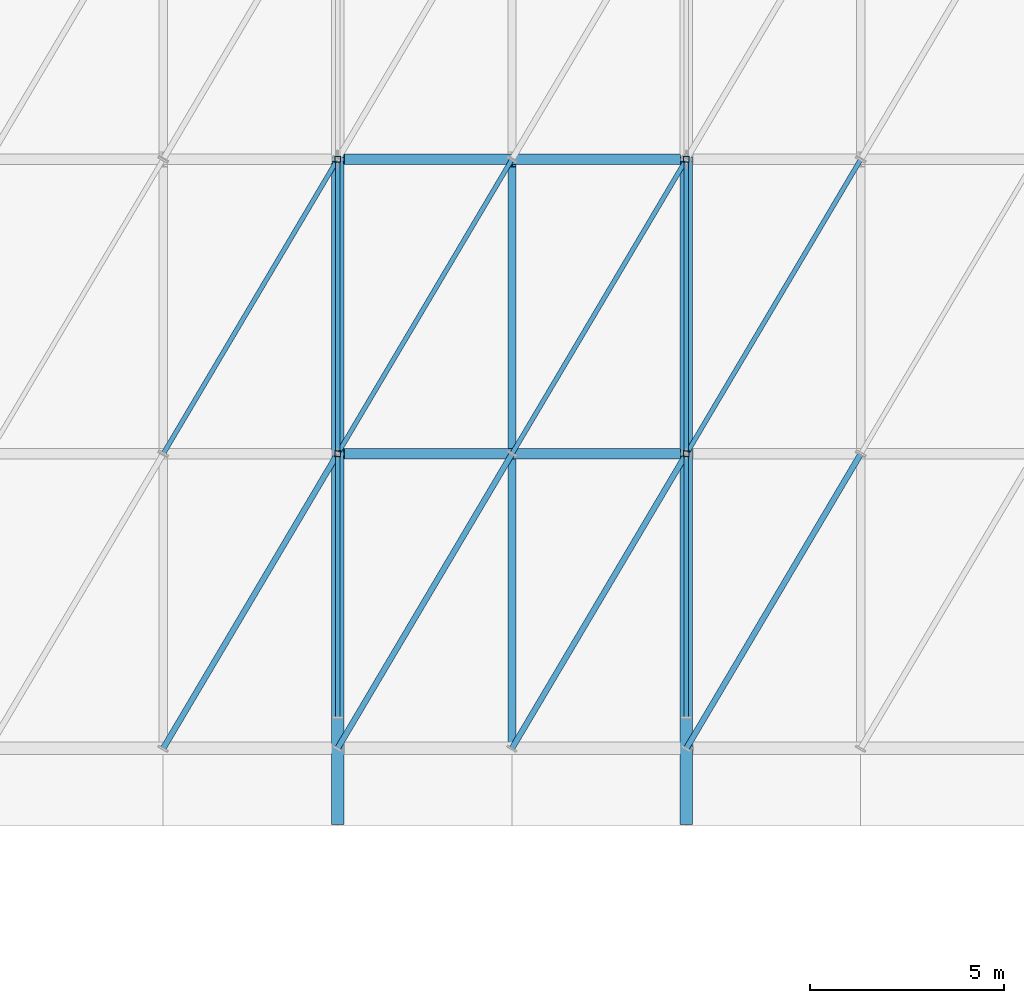
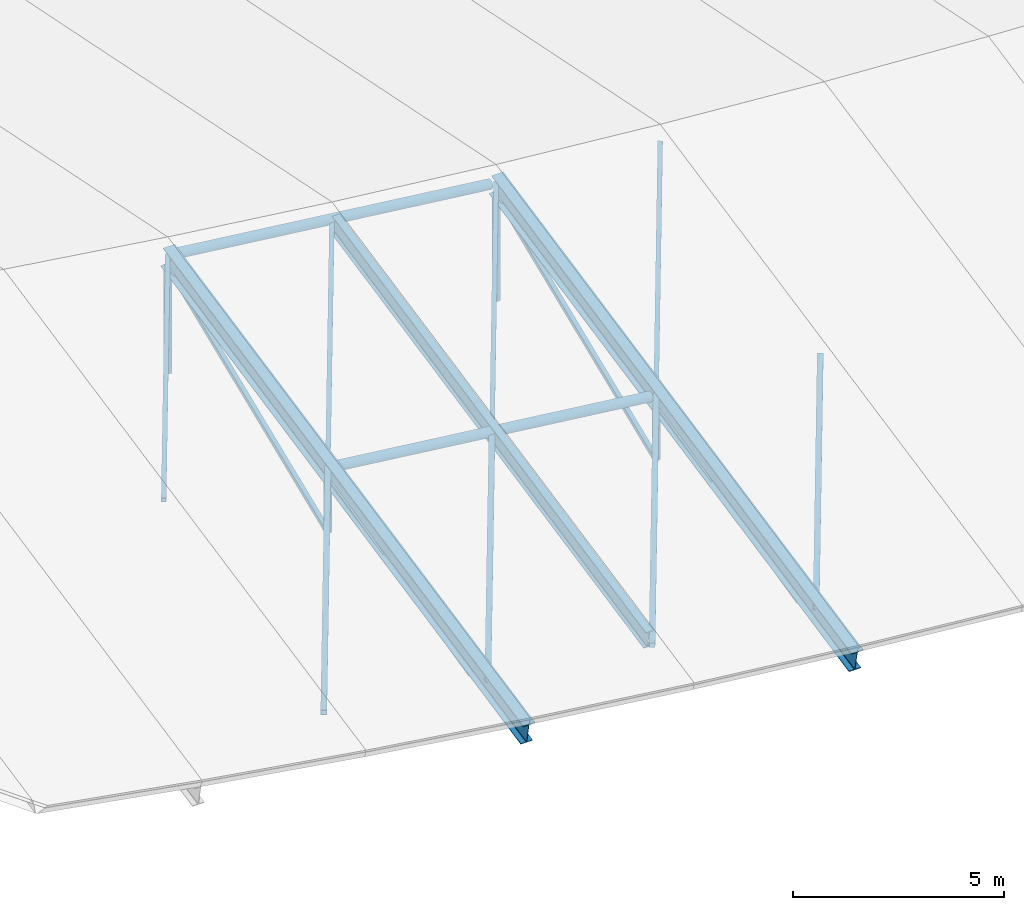
# One storey, part 8 of 21: 16 members, 5 beams.
"""IFC4 building model written with IfcOpenShell, lengths in metres."""

from ifc_helpers import new_model, si_unit, direction, frame, origin, origin_2d, place, context, subcontext, project, spatial, hollow_rectangle, hollow_circle, i_section, extrude, material, material_profile, profile_set, type_object, element, save


model = new_model("IFC4")

# Units and contexts
model_context = context("Model", 3, precision=1e-05, world=origin(), true_north=direction((0.0, 1.0)))
body_context = subcontext(model_context, "Body", "Model", "MODEL_VIEW")
ifc_project = project(units=[si_unit("LENGTHUNIT", "METRE"), si_unit("AREAUNIT", "SQUARE_METRE"), si_unit("VOLUMEUNIT", "CUBIC_METRE"), si_unit("PLANEANGLEUNIT", "RADIAN"), si_unit("MASSUNIT", "GRAM", prefix="KILO")], contexts=[model_context])

# Site, building, storey
site_placement = place(None, origin())
site = spatial("IfcSite", under=ifc_project, at=site_placement, CompositionType="ELEMENT")
building_placement = place(site_placement, origin())
building = spatial("IfcBuilding", under=site, at=building_placement, Name="Caisbarro Railhouse Central Library", CompositionType="ELEMENT")
storey_placement = place(building_placement, frame((0.0, 0.0, 26.639892578125)))
storey = spatial("IfcBuildingStorey", under=building, at=storey_placement, Name="RF", CompositionType="ELEMENT", Elevation=26.639892578125)

# Beams
ifc_material = material(Name="Steel ASTM A572 Grade 50", Category="steel")
ifc_material_profile_1 = material_profile(ifc_material, i_section(OverallWidth=0.324951171875, OverallDepth=0.615966796875, WebThickness=0.013916015625, FlangeThickness=0.021484375, FilletRadius=0.02197265625, at=origin_2d()), Name="W610X174.0")
ifc_profile_set_1 = profile_set([ifc_material_profile_1], Name="Steel ASTM A572 Grade 50")
beam_type_1 = type_object("IfcBeamType", Name="BM-G02", PredefinedType="BEAM", material=ifc_profile_set_1)
for number, where, z_axis, x_axis, name in (
    (1, (36.0, 28.5, -8.29736328125), (0.0, 0.979829500955, 0.199835304833), (-1.0, 0.0, 0.0), "V1 Gridshell South Rafter X=36"),
    (2, (45.0, 28.5, -9.347412109375), (0.0, 0.979829500955, 0.199835304833), (-1.0, 0.0, 0.0), "V1 Gridshell South Rafter X=45"),
):
    element("IfcBeam", number, at=place(storey_placement, frame(where, z_axis=z_axis, x_axis=x_axis)), inside=storey, type_object=beam_type_1, Name=name, PredefinedType="BEAM", context=body_context, shape_type="SweptSolid", body=[
        extrude(i_section(OverallWidth=0.324951171875, OverallDepth=0.615966796875, WebThickness=0.013916015625, FlangeThickness=0.021484375, FilletRadius=0.02197265625, at=origin_2d()), origin(), (0.0, 0.0, 1.0), 17.4521484375),
    ])
ifc_material_profile_2 = material_profile(ifc_material, i_section(OverallWidth=0.208984375, OverallDepth=0.532958984375, WebThickness=0.01025390625, FlangeThickness=0.015625, FilletRadius=0.02001953125, at=origin_2d()), Name="W530X92.0")
ifc_profile_set_2 = profile_set([ifc_material_profile_2], Name="Steel ASTM A572 Grade 50")
beam_type_2 = type_object("IfcBeamType", Name="BM-G06", PredefinedType="BEAM", material=ifc_profile_set_2)
beam_placement = place(storey_placement, frame((40.5, 30.56494140625, -8.401123046875), z_axis=(0.0, 0.979832431979, 0.19982093294), x_axis=(-1.0, 0.0, 0.0)))
element("IfcBeam", 3, at=beam_placement, inside=storey, type_object=beam_type_2, Name="V1 Gridshell Secondary Rafter South 5", PredefinedType="BEAM", context=body_context, shape_type="SweptSolid", body=[
    extrude(i_section(OverallWidth=0.208984375, OverallDepth=0.532958984375, WebThickness=0.01025390625, FlangeThickness=0.015625, FilletRadius=0.02001953125, at=origin_2d()), origin(), (0.0, 0.0, 1.0), 15.20166015625),
])
ifc_material_profile_3 = material_profile(ifc_material, hollow_circle(Radius=0.136474609375, WallThickness=0.012451171875, at=origin_2d()), Name="CHS273.0X12.5")
ifc_profile_set_3 = profile_set([ifc_material_profile_3], Name="Steel ASTM A572 Grade 50")
beam_type_3 = type_object("IfcBeamType", Name="BM-RB02", PredefinedType="BEAM", material=ifc_profile_set_3)
for number, where, z_axis, x_axis, name in (
    (4, (36.1650390625, 38.0, -6.379150390625), (0.993263353707, 0.0, -0.115878859946), (0.0, 1.0, 0.0), "V1 Gridshell Longitudinal Chord Q105"),
    (5, (36.1650390625, 45.60009765625, -4.8291015625), (0.993263353707, 0.0, -0.115878859946), (0.0, 1.0, 0.0), "V1 Gridshell Longitudinal Chord M05"),
):
    element("IfcBeam", number, at=place(storey_placement, frame(where, z_axis=z_axis, x_axis=x_axis)), inside=storey, type_object=beam_type_3, Name=name, PredefinedType="BEAM", context=body_context, shape_type="SweptSolid", body=[
        extrude(hollow_circle(Radius=0.136474609375, WallThickness=0.012451171875, at=origin_2d()), origin(), (0.0, 0.0, 1.0), 8.728759765625),
    ])

# Members
ifc_material_profile_4 = material_profile(ifc_material, hollow_rectangle(XDim=0.14990234375, YDim=0.14990234375, WallThickness=0.010009765625, at=origin_2d()), Name="HSS150X150X10")
ifc_profile_set_4 = profile_set([ifc_material_profile_4], Name="Steel ASTM A572 Grade 50")
member_type_1 = type_object("IfcMemberType", Name="MEM-GS01", PredefinedType="STRUT", material=ifc_profile_set_4)
member_1_placement = place(storey_placement, frame((36.0, 38.0, -8.2080078125), z_axis=(0.0, 0.0, 1.0), x_axis=(1.0, 0.0, 0.0)))
element("IfcMember", 6, at=member_1_placement, inside=storey, type_object=member_type_1, Name="V1 Gridshell QPS Strut 5", PredefinedType="STRUT", context=body_context, shape_type="SweptSolid", body=[
    extrude(hollow_rectangle(XDim=0.14990234375, YDim=0.14990234375, WallThickness=0.010009765625, at=origin_2d()), origin(), (0.0, 0.0, 1.0), 1.565185546875),
])
member_2_placement = place(storey_placement, frame((36.0, 45.60009765625, -8.2080078125), z_axis=(0.0, 0.0, 1.0), x_axis=(1.0, 0.0, 0.0)))
element("IfcMember", 7, at=member_2_placement, inside=storey, type_object=member_type_1, Name="V1 Gridshell KP Strut 5", PredefinedType="STRUT", context=body_context, shape_type="SweptSolid", body=[
    extrude(hollow_rectangle(XDim=0.14990234375, YDim=0.14990234375, WallThickness=0.010009765625, at=origin_2d()), origin(), (0.0, 0.0, 1.0), 3.115234375),
])
member_3_placement = place(storey_placement, frame((45.0, 38.0, -9.2578125), z_axis=(0.0, 0.0, 1.0), x_axis=(1.0, 0.0, 0.0)))
element("IfcMember", 8, at=member_3_placement, inside=storey, type_object=member_type_1, Name="V1 Gridshell QPS Strut 6", PredefinedType="STRUT", context=body_context, shape_type="SweptSolid", body=[
    extrude(hollow_rectangle(XDim=0.14990234375, YDim=0.14990234375, WallThickness=0.010009765625, at=origin_2d()), origin(), (0.0, 0.0, 1.0), 1.56494140625),
])
member_4_placement = place(storey_placement, frame((45.0, 45.60009765625, -9.2578125), z_axis=(0.0, 0.0, 1.0), x_axis=(1.0, 0.0, 0.0)))
element("IfcMember", 9, at=member_4_placement, inside=storey, type_object=member_type_1, Name="V1 Gridshell KP Strut 6", PredefinedType="STRUT", context=body_context, shape_type="SweptSolid", body=[
    extrude(hollow_rectangle(XDim=0.14990234375, YDim=0.14990234375, WallThickness=0.010009765625, at=origin_2d()), origin(), (0.0, 0.0, 1.0), 3.114990234375),
])
member_5_placement = place(storey_placement, frame((31.5, 30.39990234375, -7.2724609375), z_axis=(0.506789152998, 0.855921567536, 0.102776576275), x_axis=(-0.860478259115, 0.509487159397, 0.0)))
element("IfcMember", 10, at=member_5_placement, inside=storey, type_object=member_type_1, Name="V1 Gridshell Diagonal Strut 29", PredefinedType="STRUT", context=body_context, shape_type="SweptSolid", body=[
    extrude(hollow_rectangle(XDim=0.14990234375, YDim=0.14990234375, WallThickness=0.010009765625, at=origin_2d()), origin(), (0.0, 0.0, 1.0), 8.87939453125),
])
member_6_placement = place(storey_placement, frame((36.0, 30.39990234375, -7.909912109375), z_axis=(0.50633206002, 0.855149578365, 0.11111725167), x_axis=(-0.860478259115, 0.509487159397, 0.0)))
element("IfcMember", 11, at=member_6_placement, inside=storey, type_object=member_type_1, Name="V1 Gridshell Diagonal Strut 33", PredefinedType="STRUT", context=body_context, shape_type="SweptSolid", body=[
    extrude(hollow_rectangle(XDim=0.14990234375, YDim=0.14990234375, WallThickness=0.010009765625, at=origin_2d()), origin(), (0.0, 0.0, 1.0), 8.887451171875),
])
member_7_placement = place(storey_placement, frame((40.5, 30.39990234375, -8.472412109375), z_axis=(0.505840291383, 0.854319025107, 0.119434513243), x_axis=(-0.860478259115, 0.509487159397, 0.0)))
element("IfcMember", 12, at=member_7_placement, inside=storey, type_object=member_type_1, Name="V1 Gridshell Diagonal Strut 37", PredefinedType="STRUT", context=body_context, shape_type="SweptSolid", body=[
    extrude(hollow_rectangle(XDim=0.14990234375, YDim=0.14990234375, WallThickness=0.010009765625, at=origin_2d()), origin(), (0.0, 0.0, 1.0), 8.89599609375),
])
member_8_placement = place(storey_placement, frame((45.0, 30.39990234375, -8.9599609375), z_axis=(0.505314154545, 0.853430427028, 0.127726706056), x_axis=(-0.860478259115, 0.509487159397, 0.0)))
element("IfcMember", 13, at=member_8_placement, inside=storey, type_object=member_type_1, Name="V1 Gridshell Diagonal Strut 41", PredefinedType="STRUT", context=body_context, shape_type="SweptSolid", body=[
    extrude(hollow_rectangle(XDim=0.14990234375, YDim=0.14990234375, WallThickness=0.010009765625, at=origin_2d()), origin(), (0.0, 0.0, 1.0), 8.9052734375),
])
ifc_material_profile_5 = material_profile(ifc_material, hollow_rectangle(XDim=0.1201171875, YDim=0.1201171875, WallThickness=0.008056640625, at=origin_2d()), Name="HSS120X120X8")
ifc_profile_set_5 = profile_set([ifc_material_profile_5], Name="Steel ASTM A572 Grade 50")
member_type_2 = type_object("IfcMemberType", Name="MEM-GS02", PredefinedType="STRUT", material=ifc_profile_set_5)
member_9_placement = place(storey_placement, frame((36.0, 31.199951171875, -8.2080078125), z_axis=(0.0, 0.974518411108, 0.224307526428), x_axis=(-1.0, 0.0, 0.0)))
element("IfcMember", 14, at=member_9_placement, inside=storey, type_object=member_type_2, Name="V1 Gridshell Truss Web DS1 5", PredefinedType="STRUT", context=body_context, shape_type="SweptSolid", body=[
    extrude(hollow_rectangle(XDim=0.1201171875, YDim=0.1201171875, WallThickness=0.008056640625, at=origin_2d()), origin(), (0.0, 0.0, 1.0), 6.977783203125),
])
member_10_placement = place(storey_placement, frame((36.0, 38.0, -8.2080078125), z_axis=(0.0, 0.925286329636, 0.379269308261), x_axis=(-1.0, 0.0, 0.0)))
element("IfcMember", 15, at=member_10_placement, inside=storey, type_object=member_type_2, Name="V1 Gridshell Truss Web DS2 5", PredefinedType="STRUT", context=body_context, shape_type="SweptSolid", body=[
    extrude(hollow_rectangle(XDim=0.1201171875, YDim=0.1201171875, WallThickness=0.008056640625, at=origin_2d()), origin(), (0.0, 0.0, 1.0), 8.2138671875),
])
member_11_placement = place(storey_placement, frame((45.0, 31.199951171875, -9.2578125), z_axis=(0.0, 0.974526058673, 0.224274298499), x_axis=(-1.0, 0.0, 0.0)))
element("IfcMember", 16, at=member_11_placement, inside=storey, type_object=member_type_2, Name="V1 Gridshell Truss Web DS1 6", PredefinedType="STRUT", context=body_context, shape_type="SweptSolid", body=[
    extrude(hollow_rectangle(XDim=0.1201171875, YDim=0.1201171875, WallThickness=0.008056640625, at=origin_2d()), origin(), (0.0, 0.0, 1.0), 6.977783203125),
])
member_12_placement = place(storey_placement, frame((45.0, 38.0, -9.2578125), z_axis=(0.0, 0.925296760282, 0.379243860085), x_axis=(-1.0, 0.0, 0.0)))
element("IfcMember", 17, at=member_12_placement, inside=storey, type_object=member_type_2, Name="V1 Gridshell Truss Web DS2 6", PredefinedType="STRUT", context=body_context, shape_type="SweptSolid", body=[
    extrude(hollow_rectangle(XDim=0.1201171875, YDim=0.1201171875, WallThickness=0.008056640625, at=origin_2d()), origin(), (0.0, 0.0, 1.0), 8.213623046875),
])
member_13_placement = place(storey_placement, frame((31.5, 38.0, -5.722412109375), z_axis=(0.506789152998, 0.855921567536, 0.102776576275), x_axis=(-0.860478259115, 0.509487159397, 0.0)))
element("IfcMember", 18, at=member_13_placement, inside=storey, type_object=member_type_2, Name="V1 Gridshell Diagonal Strut 30", PredefinedType="STRUT", context=body_context, shape_type="SweptSolid", body=[
    extrude(hollow_rectangle(XDim=0.1201171875, YDim=0.1201171875, WallThickness=0.008056640625, at=origin_2d()), origin(), (0.0, 0.0, 1.0), 8.87939453125),
])
member_14_placement = place(storey_placement, frame((36.0, 38.0, -6.35986328125), z_axis=(0.50633206002, 0.855149578365, 0.11111725167), x_axis=(-0.860478259115, 0.509487159397, 0.0)))
element("IfcMember", 19, at=member_14_placement, inside=storey, type_object=member_type_2, Name="V1 Gridshell Diagonal Strut 34", PredefinedType="STRUT", context=body_context, shape_type="SweptSolid", body=[
    extrude(hollow_rectangle(XDim=0.1201171875, YDim=0.1201171875, WallThickness=0.008056640625, at=origin_2d()), origin(), (0.0, 0.0, 1.0), 8.887451171875),
])
member_15_placement = place(storey_placement, frame((40.5, 38.0, -6.92236328125), z_axis=(0.505840291383, 0.854319025107, 0.119434513243), x_axis=(-0.860478259115, 0.509487159397, 0.0)))
element("IfcMember", 20, at=member_15_placement, inside=storey, type_object=member_type_2, Name="V1 Gridshell Diagonal Strut 38", PredefinedType="STRUT", context=body_context, shape_type="SweptSolid", body=[
    extrude(hollow_rectangle(XDim=0.1201171875, YDim=0.1201171875, WallThickness=0.008056640625, at=origin_2d()), origin(), (0.0, 0.0, 1.0), 8.89599609375),
])
member_16_placement = place(storey_placement, frame((45.0, 38.0, -7.409912109375), z_axis=(0.505314154545, 0.853430427028, 0.127726706056), x_axis=(-0.860478259115, 0.509487159397, 0.0)))
element("IfcMember", 21, at=member_16_placement, inside=storey, type_object=member_type_2, Name="V1 Gridshell Diagonal Strut 42", PredefinedType="STRUT", context=body_context, shape_type="SweptSolid", body=[
    extrude(hollow_rectangle(XDim=0.1201171875, YDim=0.1201171875, WallThickness=0.008056640625, at=origin_2d()), origin(), (0.0, 0.0, 1.0), 8.9052734375),
])

save(model, "model.ifc")
